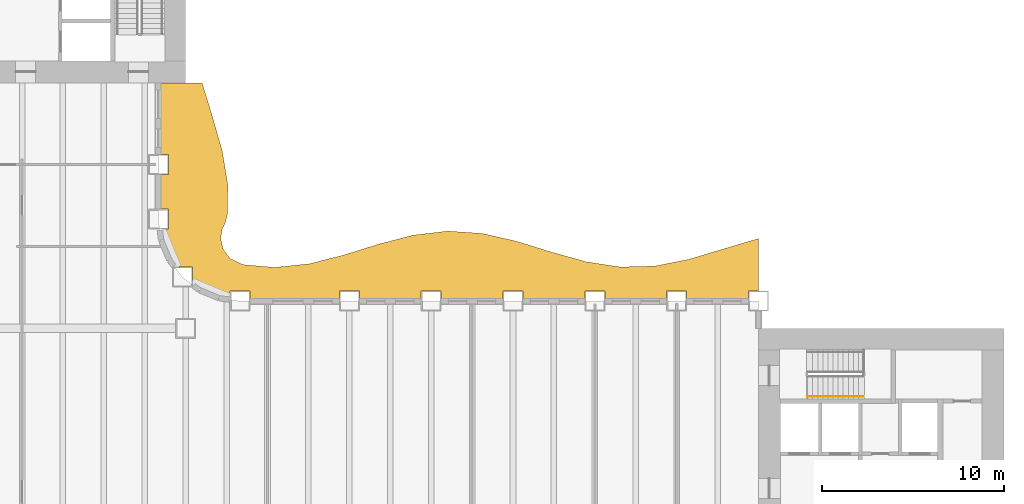
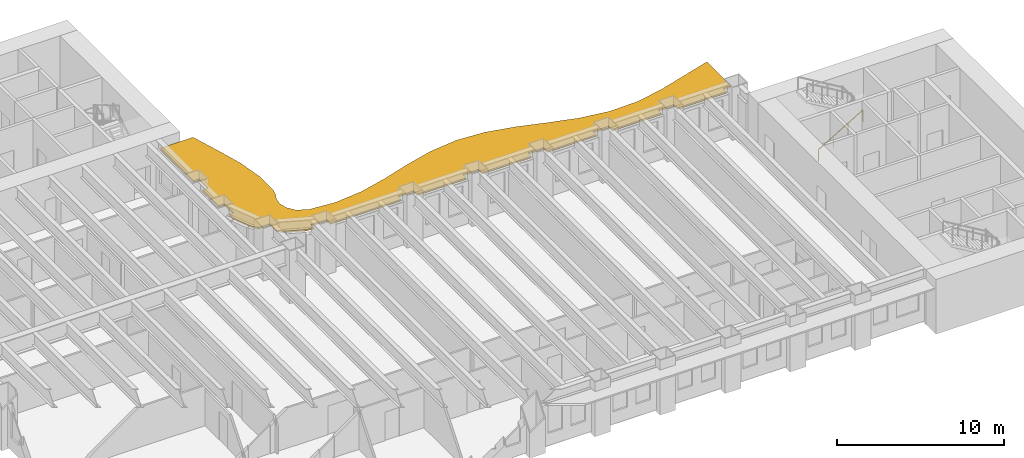
# One storey, part 14 of 16: 1 railing, 1 shading device.
"""IFC4 building model written with IfcOpenShell, lengths in metres."""

import ifcopenshell
import ifcopenshell.guid

model = None  # the IFC model being written
_history = None  # IfcOwnerHistory: only IFC2X3 demands one
_inside = {}  # id of a spatial element -> (the spatial element, [elements in it])
_under = {}  # id of a project, library or spatial element -> (it, [spatial elements below it])
_declared = {}  # id of a project -> (the project, [libraries it declares])
_typed = {}  # id of a type object -> (the type object, [elements of that type])
_made_of = {}  # id of a material, layer set ... -> (it, [elements and type objects made of it])


def new_model(schema):
    """Start an empty IFC model of exactly this schema.

    Asked for "IFC4X3", IfcOpenShell would pick the latest addendum, in which some entities
    have other attributes; the version numbers below select the first issue.
    IFC2X3 requires an IfcOwnerHistory on every rooted entity: one is made here for all.
    """
    global model, _history
    if schema == "IFC4X3":
        model = ifcopenshell.file(schema_version=(4, 3, 0, 0))
    else:
        model = ifcopenshell.file(schema=schema)
    _inside.clear()
    _under.clear()
    _declared.clear()
    _typed.clear()
    _made_of.clear()
    _history = None
    if model.schema == "IFC2X3":
        org = make("IfcOrganization", Name="unknown")
        user = make(
            "IfcPersonAndOrganization",
            ThePerson=make("IfcPerson", FamilyName="unknown"),
            TheOrganization=org,
        )
        app = make(
            "IfcApplication",
            ApplicationDeveloper=org,
            Version="unknown",
            ApplicationFullName="unknown",
            ApplicationIdentifier="unknown",
        )
        _history = make(
            "IfcOwnerHistory",
            OwningUser=user,
            OwningApplication=app,
            ChangeAction="ADDED",
            CreationDate=0,
        )
    return model


def make(cls, **values):
    """One entity of the class cls with the attributes given. An attribute that is None is left unset."""
    return model.create_entity(
        cls, **{name: value for name, value in values.items() if value is not None}
    )


def rooted(cls, **values):
    """An entity with a GlobalId (a new one), such as an element, a storey or a relation."""
    return make(cls, GlobalId=ifcopenshell.guid.new(), OwnerHistory=_history, **values)


def si_unit(unit_type, name, prefix=None):
    """IfcSIUnit, for example si_unit("LENGTHUNIT", "METRE", prefix="MILLI")."""
    return make("IfcSIUnit", UnitType=unit_type, Prefix=prefix, Name=name)


def assignment(units):
    """IfcUnitAssignment: the units of a project."""
    return None if units is None else make("IfcUnitAssignment", Units=units)


def point(xyz):
    """IfcCartesianPoint."""
    return None if xyz is None else make("IfcCartesianPoint", Coordinates=xyz)


def direction(xyz):
    """IfcDirection."""
    return None if xyz is None else make("IfcDirection", DirectionRatios=xyz)


def frame(location, z_axis=None, x_axis=None):
    """IfcAxis2Placement3D, a coordinate frame: its origin and axes. An axis left out is left unset."""
    return make(
        "IfcAxis2Placement3D",
        Location=point(location),
        Axis=direction(z_axis),
        RefDirection=direction(x_axis),
    )


def frame_2d(location, x_axis=None):
    """IfcAxis2Placement2D, a coordinate frame in the plane: its origin and x axis."""
    return make(
        "IfcAxis2Placement2D", Location=point(location), RefDirection=direction(x_axis)
    )


def origin():
    """The frame at (0, 0, 0) with its axes left unset."""
    return frame((0.0, 0.0, 0.0))


def origin_2d():
    """The frame at (0, 0) in the plane with its x axis left unset."""
    return frame_2d((0.0, 0.0))


def place(relative_to, where):
    """IfcLocalPlacement: puts the frame where relative to a parent placement (None: the world)."""
    return make(
        "IfcLocalPlacement", PlacementRelTo=relative_to, RelativePlacement=where
    )


def context(
    kind, dimensions, precision=None, world=None, true_north=None, identifier=None
):
    """IfcGeometricRepresentationContext, for example the 3D "Model" context."""
    return make(
        "IfcGeometricRepresentationContext",
        ContextIdentifier=identifier,
        ContextType=kind,
        CoordinateSpaceDimension=dimensions,
        Precision=precision,
        WorldCoordinateSystem=world,
        TrueNorth=true_north,
    )


def subcontext(parent, identifier, kind, view, scale=None):
    """IfcGeometricRepresentationSubContext, for example "Body" below "Model"."""
    return make(
        "IfcGeometricRepresentationSubContext",
        ContextIdentifier=identifier,
        ContextType=kind,
        ParentContext=parent,
        TargetScale=scale,
        TargetView=view,
    )


def project(units=None, contexts=None):
    """IfcProject with its units and contexts."""
    return rooted(
        "IfcProject",
        Name="project",
        RepresentationContexts=contexts,
        UnitsInContext=assignment(units),
    )


def spatial(cls, under=None, at=None, **own):
    """A site, building, storey or space (cls), placed at a placement, below another one or the project."""
    s = rooted(cls, ObjectPlacement=at, **own)
    if under is not None:
        _under.setdefault(under.id(), (under, []))[1].append(s)
    return s


def polyline(points):
    """IfcPolyline through the points."""
    return make("IfcPolyline", Points=[point(p) for p in points])


def profile(cls, at=None, kind="AREA", **sizes):
    """A parametric profile (cls). Its sizes go by their IFC names, for example OverallWidth=200.0."""
    return make(cls, ProfileType=kind, Position=at, **sizes)


def rectangle(**sizes):
    """IfcRectangleProfileDef."""
    return profile("IfcRectangleProfileDef", **sizes)


def outline(outer, holes=None, kind="AREA"):
    """IfcArbitraryClosedProfileDef: a profile drawn as a closed curve; with holes, ...WithVoids."""
    if holes is None:
        return make("IfcArbitraryClosedProfileDef", ProfileType=kind, OuterCurve=outer)
    return make(
        "IfcArbitraryProfileDefWithVoids",
        ProfileType=kind,
        OuterCurve=outer,
        InnerCurves=holes,
    )


def extrude(swept, where, along, depth):
    """IfcExtrudedAreaSolid: the profile swept, set in the frame where, extruded along a direction by depth."""
    return make(
        "IfcExtrudedAreaSolid",
        SweptArea=swept,
        Position=where,
        ExtrudedDirection=direction(along),
        Depth=depth,
    )


def shape(context_of_items, identifier, shape_type, items):
    """IfcShapeRepresentation: the items that make up one representation, for example the "Body"."""
    return make(
        "IfcShapeRepresentation",
        ContextOfItems=context_of_items,
        RepresentationIdentifier=identifier,
        RepresentationType=shape_type,
        Items=items,
    )


def material(Name=None, Category=None):
    """IfcMaterial."""
    return make("IfcMaterial", Name=Name, Category=Category)


def layer(
    of_material, thickness, ventilated=None, Name=None, Category=None, Priority=None
):
    """IfcMaterialLayer: one layer of a wall or slab, of a material (None: an air gap)."""
    return make(
        "IfcMaterialLayer",
        Material=of_material,
        LayerThickness=thickness,
        IsVentilated=ventilated,
        Name=Name,
        Category=Category,
        Priority=Priority,
    )


def layer_set(layers, Name=None):
    """IfcMaterialLayerSet."""
    return make("IfcMaterialLayerSet", MaterialLayers=layers, LayerSetName=Name)


def made_of(thing, what):
    """Note that an element or type object is made of a material, layer set ...; save() writes the relation."""
    if what is not None:
        _made_of.setdefault(what.id(), (what, []))[1].append(thing)
    return thing


def type_object(cls, material=None, **own):
    """A type object (cls), such as IfcWallType, which elements share."""
    return made_of(rooted(cls, **own), material)


def element(
    cls,
    number,
    at=None,
    inside=None,
    cuts=None,
    type_object=None,
    material=None,
    context=None,
    identifier="Body",
    shape_type=None,
    held_by="IfcProductDefinitionShape",
    body=None,
    shapes=None,
    **own,
):
    """One element of the class cls, such as IfcWall. Its Tag is "e" and its number.

    at: its placement. inside: the storey or other place that contains it. cuts: it is an
    opening in that element (IfcRelVoidsElement). A single representation is given by context,
    identifier, shape_type and body (its items); several are given by shapes. held_by: the class
    of the entity that holds the representations. save() writes the other relations.
    """
    e = rooted(cls, Tag="e%d" % number, ObjectPlacement=at, **own)
    if body is not None:
        shapes = [shape(context, identifier, shape_type, body)]
    if shapes is not None:
        e.Representation = make(held_by, Representations=shapes)
    if inside is not None:
        _inside.setdefault(inside.id(), (inside, []))[1].append(e)
    if cuts is not None:
        rooted(
            "IfcRelVoidsElement", RelatingBuildingElement=cuts, RelatedOpeningElement=e
        )
    if type_object is not None:
        _typed.setdefault(type_object.id(), (type_object, []))[1].append(e)
    return made_of(e, material)


def aggregate(whole, parts):
    """IfcRelAggregates: a whole, such as a stair, and the parts it consists of."""
    return rooted("IfcRelAggregates", RelatingObject=whole, RelatedObjects=parts)


def save(model, path):
    """Write the relations noted so far, then the file.

    IfcRelAggregates (storeys below a building ...), IfcRelContainedInSpatialStructure (elements
    in a storey), IfcRelDefinesByType, IfcRelAssociatesMaterial and IfcRelDeclares: one each for
    every whole, place, type object, material and project.
    """
    for whole, parts in _under.values():
        aggregate(whole, parts)
    for where, things in _inside.values():
        rooted(
            "IfcRelContainedInSpatialStructure",
            RelatedElements=things,
            RelatingStructure=where,
        )
    for kind, things in _typed.values():
        rooted("IfcRelDefinesByType", RelatedObjects=things, RelatingType=kind)
    for what, things in _made_of.values():
        rooted("IfcRelAssociatesMaterial", RelatedObjects=things, RelatingMaterial=what)
    for by, libraries in _declared.values():
        rooted("IfcRelDeclares", RelatingContext=by, RelatedDefinitions=libraries)
    model.write(path)


model = new_model("IFC4")

# Units and contexts
model_context = context("Model", 3, precision=1e-05, world=origin(), true_north=direction((0.0, 1.0)))
body_context = subcontext(model_context, "Body", "Model", "MODEL_VIEW")
ifc_project = project(units=[si_unit("LENGTHUNIT", "METRE"), si_unit("AREAUNIT", "SQUARE_METRE"), si_unit("VOLUMEUNIT", "CUBIC_METRE"), si_unit("PLANEANGLEUNIT", "RADIAN"), si_unit("MASSUNIT", "GRAM", prefix="KILO")], contexts=[model_context])

# Site, building, storey
site_placement = place(None, origin())
site = spatial("IfcSite", under=ifc_project, at=site_placement, CompositionType="ELEMENT")
building_placement = place(site_placement, origin())
building = spatial("IfcBuilding", under=site, at=building_placement, Name="Sennacour Bend Tower", CompositionType="ELEMENT")
storey_placement = place(building_placement, frame((0.0, 0.0, 57.0)))
storey = spatial("IfcBuildingStorey", under=building, at=storey_placement, Name="L12", CompositionType="ELEMENT", Elevation=57.0)

# Railing
ifc_material_1 = material(Name="Stainless steel", Category="steel")
railing_type = type_object("IfcRailingType", Name="RL-HANDRAIL-900", PredefinedType="HANDRAIL", material=ifc_material_1)
railing_placement = place(storey_placement, frame((56.699951171875, 18.75, 0.166748046875)))
element("IfcRailing", 1, at=railing_placement, inside=storey, type_object=railing_type, Name="L12 SA2 stair handrail 1", PredefinedType="HANDRAIL", context=body_context, shape_type="SweptSolid", body=[
    extrude(rectangle(XDim=0.048095703125, YDim=0.048095703125, at=origin_2d()), frame((0.0, 0.0, 0.8759765625), z_axis=(0.859308565015, 0.0, 0.511457515432), x_axis=(0.0, 1.0, 0.0)), (0.0, 0.0, 1.0), 3.58447265625),
    extrude(rectangle(XDim=0.0419921875, YDim=0.0419921875, at=origin_2d()), origin(), (0.0, 0.0, 1.0), 0.851806640625),
    extrude(rectangle(XDim=0.0419921875, YDim=0.0419921875, at=origin_2d()), frame((1.026611328125, 0.0, 0.611083984375)), (0.0, 0.0, 1.0), 0.851806640625),
    extrude(rectangle(XDim=0.0419921875, YDim=0.0419921875, at=origin_2d()), frame((2.053466796875, 0.0, 1.22216796875)), (0.0, 0.0, 1.0), 0.851806640625),
    extrude(rectangle(XDim=0.0419921875, YDim=0.0419921875, at=origin_2d()), frame((3.080078125, 0.0, 1.833251953125)), (0.0, 0.0, 1.0), 0.851806640625),
])

# Shading device
ifc_material_2 = material(Name="Bronze anodised aluminium", Category="aluminium")
ifc_layer = layer(ifc_material_2, 0.1201171875, Name="Bronze anodised aluminium", Category="aluminium")
ifc_layer_set = layer_set([ifc_layer], Name="Bronze anodised aluminium")
shading_device_type = type_object("IfcShadingDeviceType", Name="SUNSHADE BAND WAVE", PredefinedType="USERDEFINED", material=ifc_layer_set)
shading_device_placement = place(storey_placement, frame((0.0, 0.0, 3.02392578125)))
element("IfcShadingDevice", 2, at=shading_device_placement, inside=storey, type_object=shading_device_type, Name="Sunshade band L12 concave faces", ObjectType="SUNSHADE", PredefinedType="USERDEFINED", context=body_context, shape_type="SweptSolid", body=[
    extrude(outline(polyline([(53.449951171875, 24.14990234375), (50.050048828125, 24.14990234375), (50.050048828125, 24.550048828125), (48.949951171875, 24.550048828125), (48.949951171875, 24.14990234375), (45.550048828125, 24.14990234375), (45.550048828125, 24.550048828125), (44.449951171875, 24.550048828125), (44.449951171875, 24.14990234375), (41.050048828125, 24.14990234375), (41.050048828125, 24.550048828125), (39.949951171875, 24.550048828125), (39.949951171875, 24.14990234375), (36.550048828125, 24.14990234375), (36.550048828125, 24.550048828125), (35.449951171875, 24.550048828125), (35.449951171875, 24.14990234375), (32.050048828125, 24.14990234375), (32.050048828125, 24.550048828125), (30.949951171875, 24.550048828125), (30.949951171875, 24.14990234375), (26.050048828125, 24.14990234375), (26.050048828125, 24.550048828125), (24.949951171875, 24.550048828125), (24.949951171875, 24.2236328125), (24.37451171875, 24.299560546875), (23.32568359375, 24.73388671875), (22.8681640625, 25.0849609375), (22.8681640625, 25.8681640625), (22.0849609375, 25.8681640625), (21.73388671875, 26.32568359375), (21.299560546875, 27.37451171875), (21.2236328125, 27.949951171875), (21.550048828125, 27.949951171875), (21.550048828125, 29.050048828125), (21.14990234375, 29.050048828125), (21.14990234375, 30.949951171875), (21.550048828125, 30.949951171875), (21.550048828125, 32.050048828125), (21.14990234375, 32.050048828125), (21.14990234375, 36.0), (23.400634765625, 36.0), (23.978759765625, 34.125), (24.512451171875, 32.25), (24.818603515625, 30.375), (24.791748046875, 28.74853515625), (24.6650390625, 28.2763671875), (24.497314453125, 27.921142578125), (24.428466796875, 27.428466796875), (24.555908203125, 26.86474609375), (24.92431640625, 26.35107421875), (25.63134765625, 26.003662109375), (27.39990234375, 25.850830078125), (29.300048828125, 26.05029296875), (31.199951171875, 26.531982421875), (33.10009765625, 27.12548828125), (35.0, 27.6220703125), (36.89990234375, 27.84619140625), (38.800048828125, 27.71923828125), (40.699951171875, 27.285400390625), (42.60009765625, 26.6982421875), (44.5, 26.16455078125), (46.39990234375, 25.87255859375), (48.300048828125, 25.92529296875), (50.199951171875, 26.303955078125), (52.10009765625, 26.87548828125), (54.0, 27.437744140625), (54.0, 24.550048828125), (53.449951171875, 24.550048828125), (53.449951171875, 24.14990234375)])), origin(), (0.0, 0.0, 1.0), 0.1201171875),
])

save(model, "model.ifc")
